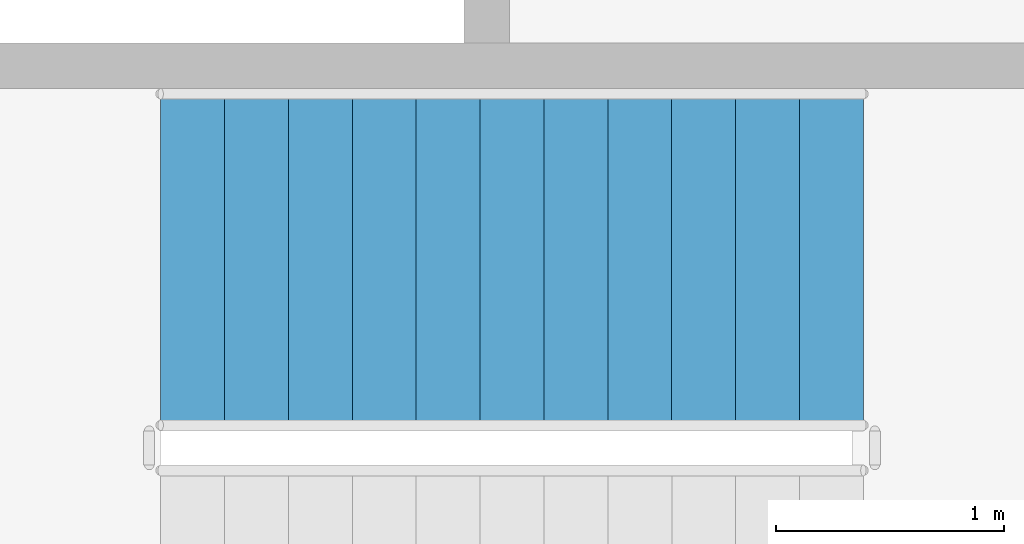
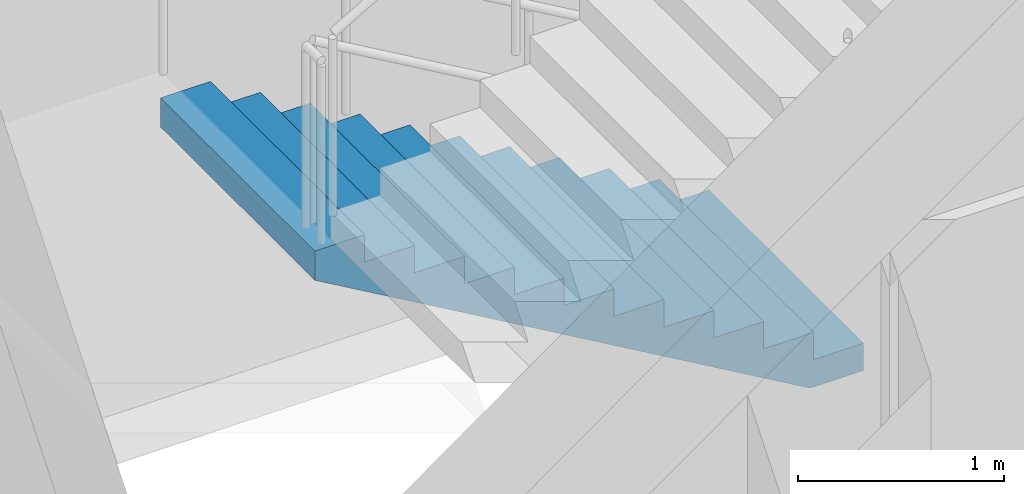
# One storey, part 26 of 32: 1 stair flight, 1 element without a shape of its own.
"""IFC4 building model written with IfcOpenShell, lengths in metres."""

from ifc_helpers import new_model, si_unit, direction, frame, origin, place, context, subcontext, project, spatial, triangles, material, type_object, element, aggregate, save


model = new_model("IFC4")

# Units and contexts
model_context = context("Model", 3, precision=1e-05, world=origin(), true_north=direction((0.0, 1.0)))
body_context = subcontext(model_context, "Body", "Model", "MODEL_VIEW")
ifc_project = project(units=[si_unit("LENGTHUNIT", "METRE"), si_unit("AREAUNIT", "SQUARE_METRE"), si_unit("VOLUMEUNIT", "CUBIC_METRE"), si_unit("PLANEANGLEUNIT", "RADIAN"), si_unit("MASSUNIT", "GRAM", prefix="KILO")], contexts=[model_context])

# Site, building, storey
site_placement = place(None, origin())
site = spatial("IfcSite", under=ifc_project, at=site_placement, CompositionType="ELEMENT")
building_placement = place(site_placement, origin())
building = spatial("IfcBuilding", under=site, at=building_placement, Name="Magnolia Steps Interchange", CompositionType="ELEMENT")
storey_placement = place(building_placement, frame((0.0, 0.0, 16.5)))
storey = spatial("IfcBuildingStorey", under=building, at=storey_placement, Name="L04", CompositionType="ELEMENT", Elevation=16.5)

# Stair, stair flight
ifc_material_1 = material(Name="Concrete C40", Category="concrete")
stair_type = type_object("IfcStairType", Name="Exit stair 1500", PredefinedType="HALF_TURN_STAIR", material=ifc_material_1)
stair_placement = place(storey_placement, origin())
stair = element("IfcStair", 1, at=stair_placement, inside=storey, type_object=stair_type, Name="L04 Stair 28", PredefinedType="HALF_TURN_STAIR")
ifc_material_2 = material(Name="Concrete C40", Category="concrete")
stair_flight_type = type_object("IfcStairFlightType", Name="Exit stair flight", PredefinedType="STRAIGHT", material=ifc_material_2)
stair_flight_placement = place(storey_placement, frame((69.14990234375, 99.25, 0.0), z_axis=(0.0, 0.0, 1.0), x_axis=(-1.0, 0.0, 0.0)))
stair_flight = element("IfcStairFlight", 2, at=stair_flight_placement, type_object=stair_flight_type, Name="Stair 28 flight 1", NumberOfRisers=12, NumberOfTreads=11, PredefinedType="STRAIGHT", RiserHeight=0.1625, TreadLength=0.28, context=body_context, shape_type="Tessellation", body=[
    triangles([(0.0, -0.75, 0.0), (0.298583984375, -0.75, 0.0), (3.080078125, -0.75, 1.6142578125), (3.080078125, -0.75, 1.78759765625), (2.800048828125, -0.75, 1.78759765625), (2.800048828125, -0.75, 1.625), (2.52001953125, -0.75, 1.625), (2.52001953125, -0.75, 1.46240234375), (2.239990234375, -0.75, 1.46240234375), (2.239990234375, -0.75, 1.300048828125), (1.9599609375, -0.75, 1.300048828125), (1.9599609375, -0.75, 1.137451171875), (1.679931640625, -0.75, 1.137451171875), (1.679931640625, -0.75, 0.97509765625), (1.39990234375, -0.75, 0.97509765625), (1.39990234375, -0.75, 0.8125), (1.1201171875, -0.75, 0.8125), (1.1201171875, -0.75, 0.64990234375), (0.840087890625, -0.75, 0.64990234375), (0.840087890625, -0.75, 0.487548828125), (0.56005859375, -0.75, 0.487548828125), (0.56005859375, -0.75, 0.324951171875), (0.280029296875, -0.75, 0.324951171875), (0.280029296875, -0.75, 0.16259765625), (0.0, -0.75, 0.16259765625), (0.0, 0.75, 0.0), (0.298583984375, 0.75, 0.0), (3.080078125, 0.75, 1.6142578125), (3.080078125, 0.75, 1.78759765625), (2.800048828125, 0.75, 1.78759765625), (2.800048828125, 0.75, 1.625), (2.52001953125, 0.75, 1.625), (2.52001953125, 0.75, 1.46240234375), (2.239990234375, 0.75, 1.46240234375), (2.239990234375, 0.75, 1.300048828125), (1.9599609375, 0.75, 1.300048828125), (1.9599609375, 0.75, 1.137451171875), (1.679931640625, 0.75, 1.137451171875), (1.679931640625, 0.75, 0.97509765625), (1.39990234375, 0.75, 0.97509765625), (1.39990234375, 0.75, 0.8125), (1.1201171875, 0.75, 0.8125), (1.1201171875, 0.75, 0.64990234375), (0.840087890625, 0.75, 0.64990234375), (0.840087890625, 0.75, 0.487548828125), (0.56005859375, 0.75, 0.487548828125), (0.56005859375, 0.75, 0.324951171875), (0.280029296875, 0.75, 0.324951171875), (0.280029296875, 0.75, 0.16259765625), (0.0, 0.75, 0.16259765625), (0.0, 0.0, 0.0), (0.0, 0.0, 0.0406494140625), (0.0, 0.0, 0.081298828125), (0.0, 0.0, 0.1219482421875), (0.0, 0.0, 0.16259765625), (0.0, -0.05, 0.0), (0.0, -0.05, 0.16259765625), (0.0, 0.05, 0.0), (0.0, 0.05, 0.16259765625), (0.046671549479166664, 0.0, 0.16259765625), (0.09334309895833333, 0.0, 0.16259765625), (0.1400146484375, 0.0, 0.16259765625), (0.18668619791666666, 0.0, 0.16259765625), (0.23335774739583334, 0.0, 0.16259765625), (0.280029296875, 0.0, 0.16259765625), (0.280029296875, -0.05, 0.16259765625), (0.280029296875, 0.05, 0.16259765625), (0.280029296875, 0.0, 0.20318603515625), (0.280029296875, 0.0, 0.2437744140625), (0.280029296875, 0.0, 0.28436279296875), (0.280029296875, 0.0, 0.324951171875), (0.280029296875, -0.05, 0.324951171875), (0.280029296875, 0.05, 0.324951171875), (0.3267008463541667, 0.0, 0.324951171875), (0.3733723958333333, 0.0, 0.324951171875), (0.4200439453125, 0.0, 0.324951171875), (0.46671549479166663, 0.0, 0.324951171875), (0.5133870442708334, 0.0, 0.324951171875), (0.56005859375, 0.0, 0.324951171875), (0.56005859375, -0.05, 0.324951171875), (0.56005859375, 0.05, 0.324951171875), (0.56005859375, 0.0, 0.3656005859375), (0.56005859375, 0.0, 0.40625), (0.56005859375, 0.0, 0.4468994140625), (0.56005859375, 0.0, 0.487548828125), (0.56005859375, -0.05, 0.487548828125), (0.56005859375, 0.05, 0.487548828125), (0.6067301432291666, 0.0, 0.487548828125), (0.6534016927083334, 0.0, 0.487548828125), (0.7000732421875, 0.0, 0.487548828125), (0.7467447916666666, 0.0, 0.487548828125), (0.7934163411458334, 0.0, 0.487548828125), (0.840087890625, 0.0, 0.487548828125), (0.840087890625, -0.05, 0.487548828125), (0.840087890625, 0.05, 0.487548828125), (0.840087890625, 0.0, 0.52813720703125), (0.840087890625, 0.0, 0.5687255859375), (0.840087890625, 0.0, 0.60931396484375), (0.840087890625, 0.0, 0.64990234375), (0.840087890625, -0.05, 0.64990234375), (0.840087890625, 0.05, 0.64990234375), (0.8867594401041666, 0.0, 0.64990234375), (0.9334309895833334, 0.0, 0.64990234375), (0.9801025390625, 0.0, 0.64990234375), (1.0267740885416667, 0.0, 0.64990234375), (1.0734456380208333, 0.0, 0.64990234375), (1.1201171875, 0.0, 0.64990234375), (1.1201171875, -0.05, 0.64990234375), (1.1201171875, 0.05, 0.64990234375), (1.1201171875, 0.0, 0.6905517578125), (1.1201171875, 0.0, 0.731201171875), (1.1201171875, 0.0, 0.7718505859375), (1.1201171875, 0.0, 0.8125), (1.1201171875, -0.05, 0.8125), (1.1201171875, 0.05, 0.8125), (1.1900634765625, 0.0, 0.8125), (1.260009765625, 0.0, 0.8125), (1.3299560546875, 0.0, 0.8125), (1.39990234375, 0.0, 0.8125), (1.39990234375, -0.05, 0.8125), (1.39990234375, 0.05, 0.8125), (1.39990234375, 0.0, 0.8531494140625), (1.39990234375, 0.0, 0.893798828125), (1.39990234375, 0.0, 0.9344482421875), (1.39990234375, 0.0, 0.97509765625), (1.39990234375, -0.05, 0.97509765625), (1.39990234375, 0.05, 0.97509765625), (1.4465738932291667, 0.0, 0.97509765625), (1.4932454427083333, 0.0, 0.97509765625), (1.5399169921875, 0.0, 0.97509765625), (1.5865885416666667, 0.0, 0.97509765625), (1.6332600911458333, 0.0, 0.97509765625), (1.679931640625, 0.0, 0.97509765625), (1.679931640625, -0.05, 0.97509765625), (1.679931640625, 0.05, 0.97509765625), (1.679931640625, 0.0, 1.01568603515625), (1.679931640625, 0.0, 1.0562744140625), (1.679931640625, 0.0, 1.09686279296875), (1.679931640625, 0.0, 1.137451171875), (1.679931640625, -0.05, 1.137451171875), (1.679931640625, 0.05, 1.137451171875), (1.7266031901041667, 0.0, 1.137451171875), (1.7732747395833333, 0.0, 1.137451171875), (1.8199462890625, 0.0, 1.137451171875), (1.8666178385416667, 0.0, 1.137451171875), (1.9132893880208333, 0.0, 1.137451171875), (1.9599609375, 0.0, 1.137451171875), (1.9599609375, -0.05, 1.137451171875), (1.9599609375, 0.05, 1.137451171875), (1.9599609375, 0.0, 1.1781005859375), (1.9599609375, 0.0, 1.21875), (1.9599609375, 0.0, 1.2593994140625), (1.9599609375, 0.0, 1.300048828125), (1.9599609375, -0.05, 1.300048828125), (1.9599609375, 0.05, 1.300048828125), (2.0066324869791665, 0.0, 1.300048828125), (2.0533040364583335, 0.0, 1.300048828125), (2.0999755859375, 0.0, 1.300048828125), (2.1466471354166665, 0.0, 1.300048828125), (2.1933186848958335, 0.0, 1.300048828125), (2.239990234375, 0.0, 1.300048828125), (2.239990234375, -0.05, 1.300048828125), (2.239990234375, 0.05, 1.300048828125), (2.239990234375, 0.0, 1.34063720703125), (2.239990234375, 0.0, 1.3812255859375), (2.239990234375, 0.0, 1.42181396484375), (2.239990234375, 0.0, 1.46240234375), (2.239990234375, -0.05, 1.46240234375), (2.239990234375, 0.05, 1.46240234375), (2.2866617838541665, 0.0, 1.46240234375), (2.3333333333333335, 0.0, 1.46240234375), (2.3800048828125, 0.0, 1.46240234375), (2.4266764322916665, 0.0, 1.46240234375), (2.4733479817708335, 0.0, 1.46240234375), (2.52001953125, 0.0, 1.46240234375), (2.52001953125, -0.05, 1.46240234375), (2.52001953125, 0.05, 1.46240234375), (2.52001953125, 0.0, 1.5030517578125), (2.52001953125, 0.0, 1.543701171875), (2.52001953125, 0.0, 1.5843505859375), (2.52001953125, 0.0, 1.625), (2.52001953125, -0.05, 1.625), (2.52001953125, 0.05, 1.625), (2.5666910807291665, 0.0, 1.625), (2.6133626302083335, 0.0, 1.625), (2.6600341796875, 0.0, 1.625), (2.7067057291666665, 0.0, 1.625), (2.7533772786458335, 0.0, 1.625), (2.800048828125, 0.0, 1.625), (2.800048828125, -0.05, 1.625), (2.800048828125, 0.05, 1.625), (2.800048828125, 0.0, 1.6656494140625), (2.800048828125, 0.0, 1.706298828125), (2.800048828125, 0.0, 1.7469482421875), (2.800048828125, 0.0, 1.78759765625), (2.800048828125, -0.05, 1.78759765625), (2.800048828125, 0.05, 1.78759765625), (2.8467203776041665, 0.0, 1.78759765625), (2.8933919270833335, 0.0, 1.78759765625), (2.9400634765625, 0.0, 1.78759765625), (2.9867350260416665, 0.0, 1.78759765625), (3.0334065755208335, 0.0, 1.78759765625), (3.080078125, 0.0, 1.78759765625), (3.080078125, -0.05, 1.78759765625), (3.080078125, 0.05, 1.78759765625), (3.080078125, 0.0, 1.7442626953125), (3.080078125, 0.0, 1.700927734375), (3.080078125, 0.0, 1.6575927734375), (3.080078125, 0.0, 1.6142578125), (3.080078125, -0.05, 1.6142578125), (3.080078125, 0.05, 1.6142578125), (3.0196108610733696, 0.0, 1.5791652513586956), (2.9591435971467392, 0.0, 1.5440726902173914), (2.898676333220109, 0.0, 1.508980129076087), (2.8382090692934785, 0.0, 1.4738875679347827), (2.7777418053668477, 0.0, 1.4387950067934783), (2.7172745414402173, 0.0, 1.4037024456521738), (2.656807277513587, 0.0, 1.3686098845108696), (2.5963400135869565, 0.0, 1.3335173233695652), (2.535872749660326, 0.0, 1.2984247622282608), (2.475405485733696, 0.0, 1.2633322010869565), (2.4149382218070654, 0.0, 1.228239639945652), (2.3544709578804346, 0.0, 1.193147078804348), (2.294003693953804, 0.0, 1.1580545176630435), (2.233536430027174, 0.0, 1.1229619565217392), (2.1730691661005435, 0.0, 1.0878693953804348), (2.112601902173913, 0.0, 1.0527768342391304), (2.0521346382472827, 0.0, 1.0176842730978262), (1.991667374320652, 0.0, 0.9825917119565217), (1.9312001103940217, 0.0, 0.9474991508152174), (1.8707328464673914, 0.0, 0.9124065896739131), (1.810265582540761, 0.0, 0.8773140285326086), (1.7497983186141304, 0.0, 0.8422214673913043), (1.6893310546875, 0.0, 0.80712890625), (1.6288637907608696, 0.0, 0.7720363451086957), (1.568396526834239, 0.0, 0.7369437839673914), (1.5079292629076086, 0.0, 0.7018512228260869), (1.4474619989809783, 0.0, 0.6667586616847826), (1.386994735054348, 0.0, 0.6316661005434783), (1.3265274711277173, 0.0, 0.5965735394021738), (1.266060207201087, 0.0, 0.5614809782608696), (1.2055929432744565, 0.0, 0.5263884171195652), (1.1451256793478262, 0.0, 0.491295855978261), (1.0846584154211956, 0.0, 0.45620329483695654), (1.0241911514945654, 0.0, 0.4211107336956521), (0.9637238875679346, 0.0, 0.3860181725543479), (0.9032566236413042, 0.0, 0.35092561141304346), (0.8427893597146738, 0.0, 0.315833050271739), (0.7823220957880435, 0.0, 0.2807404891304348), (0.7218548318614131, 0.0, 0.24564792798913038), (0.6613875679347827, 0.0, 0.21055536684782616), (0.6009203040081523, 0.0, 0.17546280570652173), (0.540453040081522, 0.0, 0.1403702445652173), (0.47998577615489113, 0.0, 0.10527768342391308), (0.41951851222826075, 0.0, 0.07018512228260865), (0.3590512483016304, 0.0, 0.035092561141304435), (0.298583984375, 0.0, 0.0), (0.298583984375, -0.05, 0.0), (0.298583984375, 0.05, 0.0), (0.24881998697916666, 0.0, 0.0), (0.19905598958333331, 0.0, 0.0), (0.1492919921875, 0.0, 0.0), (0.09952799479166666, 0.0, 0.0), (0.04976399739583334, 0.0, 0.0)], [[1, 2, 3], [3, 4, 5], [3, 5, 6], [3, 6, 7], [3, 7, 8], [8, 9, 10], [3, 8, 10], [10, 11, 12], [3, 10, 12], [12, 13, 14], [3, 12, 14], [14, 15, 16], [3, 14, 16], [16, 17, 18], [3, 16, 18], [18, 19, 20], [3, 18, 20], [20, 21, 22], [3, 20, 22], [1, 3, 22], [22, 23, 24], [1, 22, 24], [24, 25, 1], [26, 28, 27], [28, 30, 29], [28, 31, 30], [28, 32, 31], [28, 33, 32], [33, 35, 34], [28, 35, 33], [35, 37, 36], [28, 37, 35], [37, 39, 38], [28, 39, 37], [39, 41, 40], [28, 41, 39], [41, 43, 42], [28, 43, 41], [43, 45, 44], [28, 45, 43], [45, 47, 46], [28, 47, 45], [26, 47, 28], [47, 49, 48], [26, 49, 47], [49, 26, 50], [1, 25, 57], [1, 57, 56], [56, 52, 51], [56, 53, 52], [56, 57, 53], [57, 54, 53], [57, 55, 54], [26, 59, 50], [26, 58, 59], [58, 51, 52], [58, 52, 53], [58, 53, 59], [59, 53, 54], [59, 54, 55], [25, 24, 66], [25, 66, 57], [57, 60, 55], [57, 61, 60], [57, 62, 61], [57, 66, 62], [66, 63, 62], [66, 64, 63], [66, 65, 64], [50, 67, 49], [50, 59, 67], [59, 55, 60], [59, 60, 61], [59, 61, 62], [59, 62, 67], [67, 62, 63], [67, 63, 64], [67, 64, 65], [24, 23, 72], [24, 72, 66], [66, 68, 65], [66, 69, 68], [66, 72, 69], [72, 70, 69], [72, 71, 70], [49, 73, 48], [49, 67, 73], [67, 65, 68], [67, 68, 69], [67, 69, 73], [73, 69, 70], [73, 70, 71], [23, 22, 80], [23, 80, 72], [72, 74, 71], [72, 75, 74], [72, 76, 75], [72, 80, 76], [80, 77, 76], [80, 78, 77], [80, 79, 78], [48, 81, 47], [48, 73, 81], [73, 71, 74], [73, 74, 75], [73, 75, 76], [73, 76, 81], [81, 76, 77], [81, 77, 78], [81, 78, 79], [22, 21, 86], [22, 86, 80], [80, 82, 79], [80, 83, 82], [80, 86, 83], [86, 84, 83], [86, 85, 84], [47, 87, 46], [47, 81, 87], [81, 79, 82], [81, 82, 83], [81, 83, 87], [87, 83, 84], [87, 84, 85], [21, 20, 94], [21, 94, 86], [86, 88, 85], [86, 89, 88], [86, 90, 89], [86, 94, 90], [94, 91, 90], [94, 92, 91], [94, 93, 92], [46, 95, 45], [46, 87, 95], [87, 85, 88], [87, 88, 89], [87, 89, 90], [87, 90, 95], [95, 90, 91], [95, 91, 92], [95, 92, 93], [20, 19, 100], [20, 100, 94], [94, 96, 93], [94, 97, 96], [94, 100, 97], [100, 98, 97], [100, 99, 98], [45, 101, 44], [45, 95, 101], [95, 93, 96], [95, 96, 97], [95, 97, 101], [101, 97, 98], [101, 98, 99], [19, 18, 108], [19, 108, 100], [100, 102, 99], [100, 103, 102], [100, 104, 103], [100, 108, 104], [108, 105, 104], [108, 106, 105], [108, 107, 106], [44, 109, 43], [44, 101, 109], [101, 99, 102], [101, 102, 103], [101, 103, 104], [101, 104, 109], [109, 104, 105], [109, 105, 106], [109, 106, 107], [18, 17, 114], [18, 114, 108], [108, 110, 107], [108, 111, 110], [108, 114, 111], [114, 112, 111], [114, 113, 112], [43, 115, 42], [43, 109, 115], [109, 107, 110], [109, 110, 111], [109, 111, 115], [115, 111, 112], [115, 112, 113], [17, 16, 120], [17, 120, 114], [114, 116, 113], [114, 117, 116], [114, 120, 117], [120, 118, 117], [120, 119, 118], [42, 121, 41], [42, 115, 121], [115, 113, 116], [115, 116, 117], [115, 117, 121], [121, 117, 118], [121, 118, 119], [16, 15, 126], [16, 126, 120], [120, 122, 119], [120, 123, 122], [120, 126, 123], [126, 124, 123], [126, 125, 124], [41, 127, 40], [41, 121, 127], [121, 119, 122], [121, 122, 123], [121, 123, 127], [127, 123, 124], [127, 124, 125], [15, 14, 134], [15, 134, 126], [126, 128, 125], [126, 129, 128], [126, 130, 129], [126, 134, 130], [134, 131, 130], [134, 132, 131], [134, 133, 132], [40, 135, 39], [40, 127, 135], [127, 125, 128], [127, 128, 129], [127, 129, 130], [127, 130, 135], [135, 130, 131], [135, 131, 132], [135, 132, 133], [14, 13, 140], [14, 140, 134], [134, 136, 133], [134, 137, 136], [134, 140, 137], [140, 138, 137], [140, 139, 138], [39, 141, 38], [39, 135, 141], [135, 133, 136], [135, 136, 137], [135, 137, 141], [141, 137, 138], [141, 138, 139], [13, 12, 148], [13, 148, 140], [140, 142, 139], [140, 143, 142], [140, 144, 143], [140, 148, 144], [148, 145, 144], [148, 146, 145], [148, 147, 146], [38, 149, 37], [38, 141, 149], [141, 139, 142], [141, 142, 143], [141, 143, 144], [141, 144, 149], [149, 144, 145], [149, 145, 146], [149, 146, 147], [12, 11, 154], [12, 154, 148], [148, 150, 147], [148, 151, 150], [148, 154, 151], [154, 152, 151], [154, 153, 152], [37, 155, 36], [37, 149, 155], [149, 147, 150], [149, 150, 151], [149, 151, 155], [155, 151, 152], [155, 152, 153], [11, 10, 162], [11, 162, 154], [154, 156, 153], [154, 157, 156], [154, 158, 157], [154, 162, 158], [162, 159, 158], [162, 160, 159], [162, 161, 160], [36, 163, 35], [36, 155, 163], [155, 153, 156], [155, 156, 157], [155, 157, 158], [155, 158, 163], [163, 158, 159], [163, 159, 160], [163, 160, 161], [10, 9, 168], [10, 168, 162], [162, 164, 161], [162, 165, 164], [162, 168, 165], [168, 166, 165], [168, 167, 166], [35, 169, 34], [35, 163, 169], [163, 161, 164], [163, 164, 165], [163, 165, 169], [169, 165, 166], [169, 166, 167], [9, 8, 176], [9, 176, 168], [168, 170, 167], [168, 171, 170], [168, 172, 171], [168, 176, 172], [176, 173, 172], [176, 174, 173], [176, 175, 174], [34, 177, 33], [34, 169, 177], [169, 167, 170], [169, 170, 171], [169, 171, 172], [169, 172, 177], [177, 172, 173], [177, 173, 174], [177, 174, 175], [8, 7, 182], [8, 182, 176], [176, 178, 175], [176, 179, 178], [176, 182, 179], [182, 180, 179], [182, 181, 180], [33, 183, 32], [33, 177, 183], [177, 175, 178], [177, 178, 179], [177, 179, 183], [183, 179, 180], [183, 180, 181], [7, 6, 190], [7, 190, 182], [182, 184, 181], [182, 185, 184], [182, 186, 185], [182, 190, 186], [190, 187, 186], [190, 188, 187], [190, 189, 188], [32, 191, 31], [32, 183, 191], [183, 181, 184], [183, 184, 185], [183, 185, 186], [183, 186, 191], [191, 186, 187], [191, 187, 188], [191, 188, 189], [6, 5, 196], [6, 196, 190], [190, 192, 189], [190, 193, 192], [190, 196, 193], [196, 194, 193], [196, 195, 194], [31, 197, 30], [31, 191, 197], [191, 189, 192], [191, 192, 193], [191, 193, 197], [197, 193, 194], [197, 194, 195], [5, 4, 204], [5, 204, 196], [196, 198, 195], [196, 199, 198], [196, 200, 199], [196, 204, 200], [204, 201, 200], [204, 202, 201], [204, 203, 202], [30, 205, 29], [30, 197, 205], [197, 195, 198], [197, 198, 199], [197, 199, 200], [197, 200, 205], [205, 200, 201], [205, 201, 202], [205, 202, 203], [4, 3, 210], [4, 210, 204], [204, 206, 203], [204, 207, 206], [204, 210, 207], [210, 208, 207], [210, 209, 208], [29, 211, 28], [29, 205, 211], [205, 203, 206], [205, 206, 207], [205, 207, 211], [211, 207, 208], [211, 208, 209], [3, 2, 258], [3, 258, 210], [210, 212, 209], [210, 213, 212], [210, 214, 213], [210, 215, 214], [210, 216, 215], [210, 217, 216], [210, 218, 217], [210, 219, 218], [210, 220, 219], [210, 221, 220], [210, 222, 221], [210, 223, 222], [210, 224, 223], [210, 225, 224], [210, 226, 225], [210, 227, 226], [210, 228, 227], [210, 229, 228], [210, 230, 229], [210, 231, 230], [210, 232, 231], [210, 233, 232], [210, 234, 233], [210, 258, 234], [258, 235, 234], [258, 236, 235], [258, 237, 236], [258, 238, 237], [258, 239, 238], [258, 240, 239], [258, 241, 240], [258, 242, 241], [258, 243, 242], [258, 244, 243], [258, 245, 244], [258, 246, 245], [258, 247, 246], [258, 248, 247], [258, 249, 248], [258, 250, 249], [258, 251, 250], [258, 252, 251], [258, 253, 252], [258, 254, 253], [258, 255, 254], [258, 256, 255], [258, 257, 256], [28, 259, 27], [28, 211, 259], [211, 209, 212], [211, 212, 213], [211, 213, 214], [211, 214, 215], [211, 215, 216], [211, 216, 217], [211, 217, 218], [211, 218, 219], [211, 219, 220], [211, 220, 221], [211, 221, 222], [211, 222, 223], [211, 223, 224], [211, 224, 225], [211, 225, 226], [211, 226, 227], [211, 227, 228], [211, 228, 229], [211, 229, 230], [211, 230, 231], [211, 231, 232], [211, 232, 233], [211, 233, 234], [211, 234, 259], [259, 234, 235], [259, 235, 236], [259, 236, 237], [259, 237, 238], [259, 238, 239], [259, 239, 240], [259, 240, 241], [259, 241, 242], [259, 242, 243], [259, 243, 244], [259, 244, 245], [259, 245, 246], [259, 246, 247], [259, 247, 248], [259, 248, 249], [259, 249, 250], [259, 250, 251], [259, 251, 252], [259, 252, 253], [259, 253, 254], [259, 254, 255], [259, 255, 256], [259, 256, 257], [2, 1, 56], [2, 56, 258], [258, 260, 257], [258, 261, 260], [258, 262, 261], [258, 56, 262], [56, 263, 262], [56, 264, 263], [56, 51, 264], [27, 58, 26], [27, 259, 58], [259, 257, 260], [259, 260, 261], [259, 261, 262], [259, 262, 58], [58, 262, 263], [58, 263, 264], [58, 264, 51]], closed=True),
])
aggregate(stair, [stair_flight])

save(model, "model.ifc")
